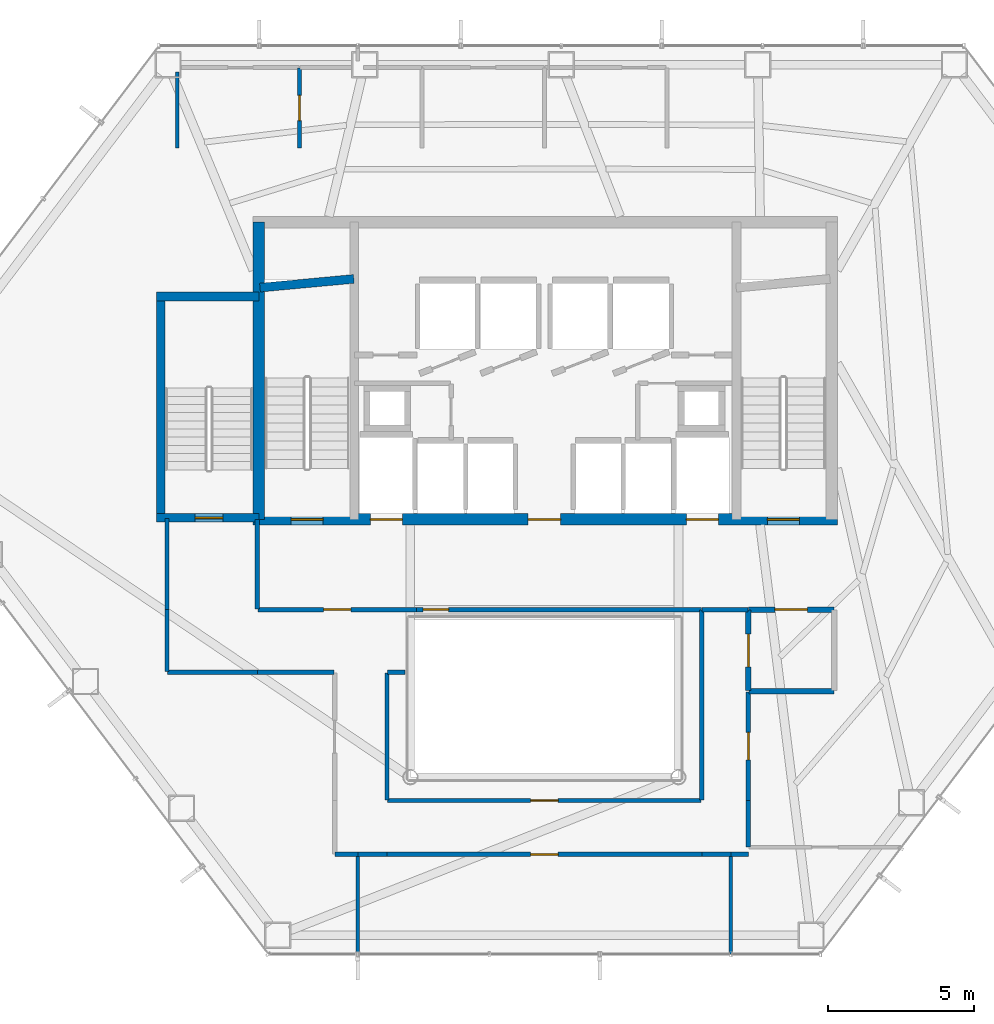
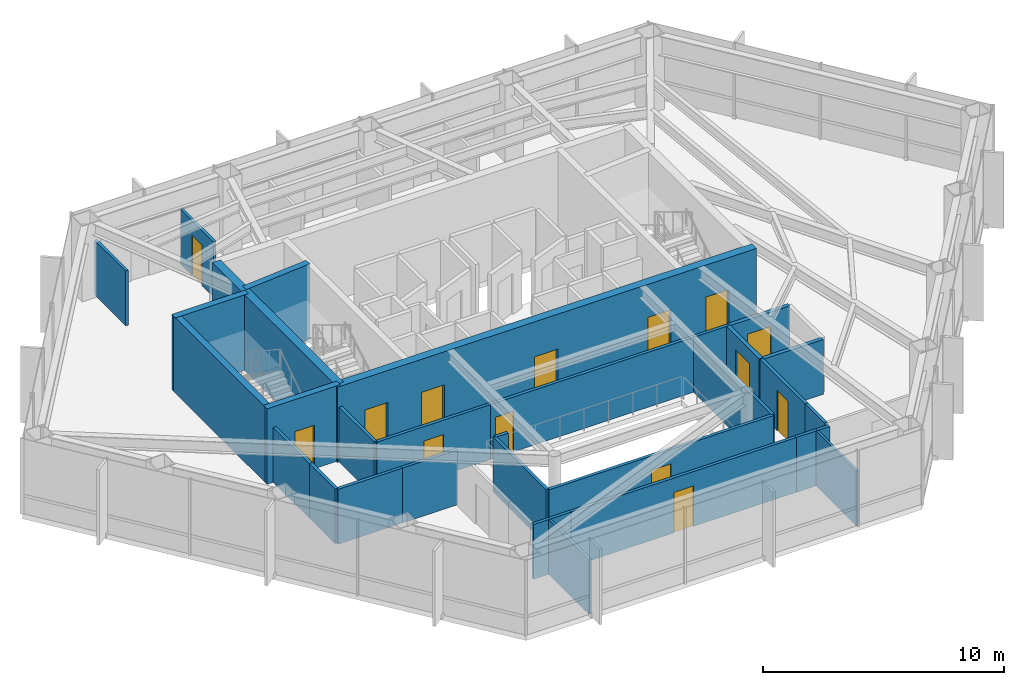
# One storey, part 21 of 24: 32 walls, 14 doors, 14 openings.
"""IFC4 building model written with IfcOpenShell, lengths in metres."""

from ifc_helpers import new_model, si_unit, direction, frame, frame_2d, origin, place, context, subcontext, project, spatial, rectangle, extrude, material, layer, layer_set, type_object, element, fill, save


model = new_model("IFC4")

# Units and contexts
model_context = context("Model", 3, precision=1e-05, world=origin(), true_north=direction((0.0, 1.0)))
body_context = subcontext(model_context, "Body", "Model", "MODEL_VIEW")
ifc_project = project(units=[si_unit("LENGTHUNIT", "METRE"), si_unit("AREAUNIT", "SQUARE_METRE"), si_unit("VOLUMEUNIT", "CUBIC_METRE"), si_unit("PLANEANGLEUNIT", "RADIAN"), si_unit("MASSUNIT", "GRAM", prefix="KILO")], contexts=[model_context])

# Site, building, storey
site_placement = place(None, origin())
site = spatial("IfcSite", under=ifc_project, at=site_placement, CompositionType="ELEMENT")
building_placement = place(site_placement, origin())
building = spatial("IfcBuilding", under=site, at=building_placement, Name="Zarrinselat Tower", CompositionType="ELEMENT")
storey_placement = place(building_placement, frame((0.0, 0.0, 96.89990234375)))
storey = spatial("IfcBuildingStorey", under=building, at=storey_placement, Name="L23", CompositionType="ELEMENT", Elevation=96.89990234375)

# Wall, opening, door
ifc_material_1 = material(Name="Concrete C40/50", Category="concrete")
ifc_layer_1 = layer(ifc_material_1, 0.18994140625)
ifc_layer_set_1 = layer_set([ifc_layer_1], Name="Concrete C40/50")
wall_type_1 = type_object("IfcWallType", Name="WAL-PART-EI120", PredefinedType="PARTITIONING", material=ifc_layer_set_1)
wall_1_placement = place(storey_placement, frame((45.405029296875, 30.14990234375, 0.0), z_axis=(0.0, 0.0, 1.0), x_axis=(1.0, 0.0, 0.0)))
wall_1 = element("IfcWall", 1, at=wall_1_placement, inside=storey, type_object=wall_type_1, Name="L23 Partition Wall 7", PredefinedType="PARTITIONING", context=body_context, shape_type="SweptSolid", body=[
    extrude(rectangle(XDim=2.925048828125, YDim=0.18994140625, at=frame_2d((1.46240234375, 0.0))), origin(), (0.0, 0.0, 1.0), 2.777099609375),
])
opening_1_placement = place(wall_1_placement, frame((0.902587890625, 0.0, 0.0)))
opening_1 = element("IfcOpeningElement", 2, at=opening_1_placement, cuts=wall_1, Name="Opening ID-02", PredefinedType="OPENING", context=body_context, shape_type="SweptSolid", body=[
    extrude(rectangle(XDim=1.1201171875, YDim=2.050048828125, at=frame_2d((0.56005859375, 1.02490234375))), frame((0.0, 0.10498046875, 0.0), z_axis=(0.0, -1.0, 0.0), x_axis=(1.0, 0.0, 0.0)), (0.0, 0.0, 1.0), 0.2099609375),
])
ifc_material_2 = material(Name="Steel S355J2", Category="steel")
door_type_1 = type_object("IfcDoorType", Name="DR-INT-FD60-W", OperationType="NOTDEFINED", PredefinedType="DOOR", material=ifc_material_2)
door_1_placement = place(opening_1_placement, origin())
door_1 = element("IfcDoor", 3, at=door_1_placement, inside=storey, type_object=door_type_1, Name="L23 Interior Door P7", OperationType="SINGLE_SWING_RIGHT", OverallHeight=2.050048828125, OverallWidth=1.1201171875, PredefinedType="DOOR", context=body_context, shape_type="SweptSolid", body=[
    extrude(rectangle(XDim=1.1201171875, YDim=2.050048828125, at=frame_2d((0.56005859375, 1.02490234375))), frame((0.0, 0.02490234375, 0.0), z_axis=(0.0, -1.0, 0.0), x_axis=(1.0, 0.0, 0.0)), (0.0, 0.0, 1.0), 0.050048828125),
])
fill(opening_1, door_1)

wall_2_placement = place(storey_placement, frame((45.39990234375, 27.3701171875, 0.0), z_axis=(0.0, 0.0, 1.0), x_axis=(0.0, 1.0, 0.0)))
wall_2 = element("IfcWall", 4, at=wall_2_placement, inside=storey, type_object=wall_type_1, Name="L23 Partition Wall 12", PredefinedType="PARTITIONING", context=body_context, shape_type="SweptSolid", body=[
    extrude(rectangle(XDim=2.759765625, YDim=0.18994140625, at=frame_2d((1.3798828125, 0.0))), origin(), (0.0, 0.0, 1.0), 2.777099609375),
])
opening_2_placement = place(wall_2_placement, frame((0.820068359375, 0.0, 0.0)))
opening_2 = element("IfcOpeningElement", 5, at=opening_2_placement, cuts=wall_2, Name="Opening ID-02", PredefinedType="OPENING", context=body_context, shape_type="SweptSolid", body=[
    extrude(rectangle(XDim=1.1201171875, YDim=2.050048828125, at=frame_2d((0.56005859375, 1.02490234375))), frame((0.0, 0.10498046875, 0.0), z_axis=(0.0, -1.0, 0.0), x_axis=(1.0, 0.0, 0.0)), (0.0, 0.0, 1.0), 0.2099609375),
])
door_2_placement = place(opening_2_placement, origin())
door_2 = element("IfcDoor", 6, at=door_2_placement, inside=storey, type_object=door_type_1, Name="L23 Interior Door P12", OperationType="SINGLE_SWING_LEFT", OverallHeight=2.050048828125, OverallWidth=1.1201171875, PredefinedType="DOOR", context=body_context, shape_type="SweptSolid", body=[
    extrude(rectangle(XDim=1.1201171875, YDim=2.050048828125, at=frame_2d((0.56005859375, 1.02490234375))), frame((0.0, 0.02490234375, 0.0), z_axis=(0.0, -1.0, 0.0), x_axis=(1.0, 0.0, 0.0)), (0.0, 0.0, 1.0), 0.050048828125),
])
fill(opening_2, door_2)

# Walls
wall_3_placement = place(storey_placement, frame((45.419921875, 27.35009765625, 0.0), z_axis=(0.0, 0.0, 1.0), x_axis=(1.0, 0.0, 0.0)))
element("IfcWall", 7, at=wall_3_placement, inside=storey, type_object=wall_type_1, Name="L23 Partition Wall 13", PredefinedType="PARTITIONING", context=body_context, shape_type="SweptSolid", body=[
    extrude(rectangle(XDim=2.91015625, YDim=0.18994140625, at=frame_2d((1.455078125, 0.0))), origin(), (0.0, 0.0, 1.0), 2.777099609375),
])
ifc_material_3 = material(Name="Fire-Rated Gypsum Board Partition", Category="gypsum")
ifc_layer_2 = layer(ifc_material_3, 0.14990234375)
ifc_layer_set_2 = layer_set([ifc_layer_2], Name="Fire-Rated Gypsum Board Partition")
wall_type_2 = type_object("IfcWallType", Name="WAL-PART-EI60", PredefinedType="PARTITIONING", material=ifc_layer_set_2)
wall_4_placement = place(storey_placement, frame((43.804931640625, 30.14990234375, 0.0), z_axis=(0.0, 0.0, 1.0), x_axis=(1.0, 0.0, 0.0)))
element("IfcWall", 8, at=wall_4_placement, inside=storey, type_object=wall_type_2, Name="L23 Partition Wall 8", PredefinedType="PARTITIONING", context=body_context, shape_type="SweptSolid", body=[
    extrude(rectangle(XDim=1.590087890625, YDim=0.14990234375, at=frame_2d((0.794921875, 0.0))), origin(), (0.0, 0.0, 1.0), 2.777099609375),
])

# Wall, opening, door
wall_5_placement = place(storey_placement, frame((28.570068359375, 30.14990234375, 0.0), z_axis=(0.0, 0.0, 1.0), x_axis=(1.0, 0.0, 0.0)))
wall_5 = element("IfcWall", 9, at=wall_5_placement, inside=storey, type_object=wall_type_2, Name="L23 Partition Wall 9", PredefinedType="PARTITIONING", context=body_context, shape_type="SweptSolid", body=[
    extrude(rectangle(XDim=5.44482421875, YDim=0.14990234375, at=frame_2d((2.722412109375, 0.0))), origin(), (0.0, 0.0, 1.0), 2.777099609375),
])
opening_3_placement = place(wall_5_placement, frame((2.25244140625, 0.0, 0.0)))
opening_3 = element("IfcOpeningElement", 10, at=opening_3_placement, cuts=wall_5, Name="Opening ID-04", PredefinedType="OPENING", context=body_context, shape_type="SweptSolid", body=[
    extrude(rectangle(XDim=0.93994140625, YDim=2.050048828125, at=frame_2d((0.469970703125, 1.02490234375))), frame((0.0, 0.0849609375, 0.0), z_axis=(0.0, -1.0, 0.0), x_axis=(1.0, 0.0, 0.0)), (0.0, 0.0, 1.0), 0.169921875),
])
ifc_material_4 = material(Name="Fire-Rated Gypsum Board Partition")
door_type_2 = type_object("IfcDoorType", Name="DR-INT-FD30-ENT", OperationType="NOTDEFINED", PredefinedType="DOOR", material=ifc_material_4)
door_3_placement = place(opening_3_placement, origin())
door_3 = element("IfcDoor", 11, at=door_3_placement, inside=storey, type_object=door_type_2, Name="L23 Interior Door P9", OperationType="SINGLE_SWING_LEFT", OverallHeight=2.050048828125, OverallWidth=0.93994140625, PredefinedType="DOOR", context=body_context, shape_type="SweptSolid", body=[
    extrude(rectangle(XDim=0.93994140625, YDim=2.050048828125, at=frame_2d((0.469970703125, 1.02490234375))), frame((0.0, 0.02490234375, 0.0), z_axis=(0.0, -1.0, 0.0), x_axis=(1.0, 0.0, 0.0)), (0.0, 0.0, 1.0), 0.050048828125),
])
fill(opening_3, door_3)

# Wall
wall_6_placement = place(storey_placement, frame((28.550048828125, 30.169921875, 0.0), z_axis=(0.0, 0.0, 1.0), x_axis=(0.0, 1.0, 0.0)))
element("IfcWall", 12, at=wall_6_placement, inside=storey, type_object=wall_type_2, Name="L23 Partition Wall 10", PredefinedType="PARTITIONING", context=body_context, shape_type="SweptSolid", body=[
    extrude(rectangle(XDim=3.065185546875, YDim=0.14990234375, at=frame_2d((1.53271484375, 0.0))), origin(), (0.0, 0.0, 1.0), 2.777099609375),
])

# Wall, opening, door
wall_7_placement = place(storey_placement, frame((33.985107421875, 30.14990234375, 0.0), z_axis=(0.0, 0.0, 1.0), x_axis=(1.0, 0.0, 0.0)))
wall_7 = element("IfcWall", 13, at=wall_7_placement, inside=storey, type_object=wall_type_2, Name="L23 Partition Wall 11", PredefinedType="PARTITIONING", context=body_context, shape_type="SweptSolid", body=[
    extrude(rectangle(XDim=9.809814453125, YDim=0.14990234375, at=frame_2d((4.90478515625, 0.0))), origin(), (0.0, 0.0, 1.0), 2.777099609375),
])
opening_4_placement = place(wall_7_placement, frame((0.25, 0.0, 0.0)))
opening_4 = element("IfcOpeningElement", 14, at=opening_4_placement, cuts=wall_7, Name="Opening ID-03", PredefinedType="OPENING", context=body_context, shape_type="SweptSolid", body=[
    extrude(rectangle(XDim=0.8798828125, YDim=2.050048828125, at=frame_2d((0.43994140625, 1.02490234375))), frame((0.0, 0.0849609375, 0.0), z_axis=(0.0, -1.0, 0.0), x_axis=(1.0, 0.0, 0.0)), (0.0, 0.0, 1.0), 0.169921875),
])
ifc_material_5 = material(Name="Steel S355J2", Category="steel")
door_type_3 = type_object("IfcDoorType", Name="DR-INT-FD60-S", OperationType="NOTDEFINED", PredefinedType="DOOR", material=ifc_material_5)
door_4_placement = place(opening_4_placement, origin())
door_4 = element("IfcDoor", 15, at=door_4_placement, inside=storey, type_object=door_type_3, Name="L23 Interior Door P11", OperationType="SINGLE_SWING_RIGHT", OverallHeight=2.050048828125, OverallWidth=0.8798828125, PredefinedType="DOOR", context=body_context, shape_type="SweptSolid", body=[
    extrude(rectangle(XDim=0.8798828125, YDim=2.050048828125, at=frame_2d((0.43994140625, 1.02490234375))), frame((0.0, 0.02490234375, 0.0), z_axis=(0.0, -1.0, 0.0), x_axis=(1.0, 0.0, 0.0)), (0.0, 0.0, 1.0), 0.050048828125),
])
fill(opening_4, door_4)

# Wall
wall_8_placement = place(storey_placement, frame((43.800048828125, 21.75, 0.0), z_axis=(0.0, 0.0, 1.0), x_axis=(1.0, 0.0, 0.0)))
element("IfcWall", 16, at=wall_8_placement, inside=storey, type_object=wall_type_2, Name="L23 Partition Wall 15", PredefinedType="PARTITIONING", context=body_context, shape_type="SweptSolid", body=[
    extrude(rectangle(XDim=0.994873046875, YDim=0.14990234375, at=frame_2d((0.49755859375, 0.0))), origin(), (0.0, 0.0, 1.0), 2.777099609375),
])

# Wall, opening, door
wall_9_placement = place(storey_placement, frame((33.0, 21.75, 0.0), z_axis=(0.0, 0.0, 1.0), x_axis=(1.0, 0.0, 0.0)))
wall_9 = element("IfcWall", 17, at=wall_9_placement, inside=storey, type_object=wall_type_2, Name="L23 Partition Wall 16", PredefinedType="PARTITIONING", context=body_context, shape_type="SweptSolid", body=[
    extrude(rectangle(XDim=10.800048828125, YDim=0.14990234375, at=frame_2d((5.39990234375, 0.0))), origin(), (0.0, 0.0, 1.0), 2.777099609375),
])
opening_5_placement = place(wall_9_placement, frame((4.929931640625, 0.0, 0.0)))
opening_5 = element("IfcOpeningElement", 18, at=opening_5_placement, cuts=wall_9, Name="Opening ID-04", PredefinedType="OPENING", context=body_context, shape_type="SweptSolid", body=[
    extrude(rectangle(XDim=0.93994140625, YDim=2.050048828125, at=frame_2d((0.469970703125, 1.02490234375))), frame((0.0, 0.0849609375, 0.0), z_axis=(0.0, -1.0, 0.0), x_axis=(1.0, 0.0, 0.0)), (0.0, 0.0, 1.0), 0.169921875),
])
door_5_placement = place(opening_5_placement, origin())
door_5 = element("IfcDoor", 19, at=door_5_placement, inside=storey, type_object=door_type_2, Name="L23 Interior Door P16", OperationType="SINGLE_SWING_RIGHT", OverallHeight=2.050048828125, OverallWidth=0.93994140625, PredefinedType="DOOR", context=body_context, shape_type="SweptSolid", body=[
    extrude(rectangle(XDim=0.93994140625, YDim=2.050048828125, at=frame_2d((0.469970703125, 1.02490234375))), frame((0.0, 0.02490234375, 0.0), z_axis=(0.0, -1.0, 0.0), x_axis=(1.0, 0.0, 0.0)), (0.0, 0.0, 1.0), 0.050048828125),
])
fill(opening_5, door_5)

# Walls
wall_10_placement = place(storey_placement, frame((32.0048828125, 21.75, 0.0), z_axis=(0.0, 0.0, 1.0), x_axis=(1.0, 0.0, 0.0)))
element("IfcWall", 20, at=wall_10_placement, inside=storey, type_object=wall_type_2, Name="L23 Partition Wall 17", PredefinedType="PARTITIONING", context=body_context, shape_type="SweptSolid", body=[
    extrude(rectangle(XDim=0.9951171875, YDim=0.14990234375, at=frame_2d((0.49755859375, 0.0))), origin(), (0.0, 0.0, 1.0), 2.777099609375),
])
wall_11_placement = place(storey_placement, frame((44.804931640625, 21.75, 0.0), z_axis=(0.0, 0.0, 1.0), x_axis=(1.0, 0.0, 0.0)))
element("IfcWall", 21, at=wall_11_placement, inside=storey, type_object=wall_type_2, Name="L23 Partition Wall 18", PredefinedType="PARTITIONING", context=body_context, shape_type="SweptSolid", body=[
    extrude(rectangle(XDim=0.594970703125, YDim=0.14990234375, at=frame_2d((0.29736328125, 0.0))), origin(), (0.0, 0.0, 1.0), 2.777099609375),
])
wall_12_placement = place(storey_placement, frame((31.219970703125, 21.75, 0.0), z_axis=(0.0, 0.0, 1.0), x_axis=(1.0, 0.0, 0.0)))
element("IfcWall", 22, at=wall_12_placement, inside=storey, type_object=wall_type_2, Name="L23 Partition Wall 19", PredefinedType="PARTITIONING", context=body_context, shape_type="SweptSolid", body=[
    extrude(rectangle(XDim=0.775146484375, YDim=0.14990234375, at=frame_2d((0.3876953125, 0.0))), origin(), (0.0, 0.0, 1.0), 2.777099609375),
])
wall_13_placement = place(storey_placement, frame((28.550048828125, 28.0, 0.0), z_axis=(0.0, 0.0, 1.0), x_axis=(1.0, 0.0, 0.0)))
element("IfcWall", 23, at=wall_13_placement, inside=storey, type_object=wall_type_2, Name="L23 Partition Wall 22", PredefinedType="PARTITIONING", context=body_context, shape_type="SweptSolid", body=[
    extrude(rectangle(XDim=2.6298828125, YDim=0.14990234375, at=frame_2d((1.31494140625, 0.0))), origin(), (0.0, 0.0, 1.0), 2.777099609375),
])
wall_14_placement = place(storey_placement, frame((25.469970703125, 28.0, 0.0), z_axis=(0.0, 0.0, 1.0), x_axis=(1.0, 0.0, 0.0)))
element("IfcWall", 24, at=wall_14_placement, inside=storey, type_object=wall_type_2, Name="L23 Partition Wall 23", PredefinedType="PARTITIONING", context=body_context, shape_type="SweptSolid", body=[
    extrude(rectangle(XDim=3.080078125, YDim=0.14990234375, at=frame_2d((1.5400390625, 0.0))), origin(), (0.0, 0.0, 1.0), 2.777099609375),
])
wall_15_placement = place(storey_placement, frame((25.449951171875, 28.02001953125, 0.0), z_axis=(0.0, 0.0, 1.0), x_axis=(0.0, 1.0, 0.0)))
element("IfcWall", 25, at=wall_15_placement, inside=storey, type_object=wall_type_2, Name="L23 Partition Wall 24", PredefinedType="PARTITIONING", context=body_context, shape_type="SweptSolid", body=[
    extrude(rectangle(XDim=2.1298828125, YDim=0.14990234375, at=frame_2d((1.06494140625, 0.0))), origin(), (0.0, 0.0, 1.0), 2.777099609375),
])
wall_16_placement = place(storey_placement, frame((25.449951171875, 30.14990234375, 0.0), z_axis=(0.0, 0.0, 1.0), x_axis=(0.0, 1.0, 0.0)))
element("IfcWall", 26, at=wall_16_placement, inside=storey, type_object=wall_type_2, Name="L23 Partition Wall 25", PredefinedType="PARTITIONING", context=body_context, shape_type="SweptSolid", body=[
    extrude(rectangle(XDim=3.135009765625, YDim=0.14990234375, at=frame_2d((1.5673828125, 0.0))), origin(), (0.0, 0.0, 1.0), 2.777099609375),
])

# Wall, opening, door
wall_17_placement = place(storey_placement, frame((45.39990234375, 23.60009765625, 0.0), z_axis=(0.0, 0.0, 1.0), x_axis=(0.0, 1.0, 0.0)))
wall_17 = element("IfcWall", 27, at=wall_17_placement, inside=storey, type_object=wall_type_2, Name="L23 Partition Wall 26", PredefinedType="PARTITIONING", context=body_context, shape_type="SweptSolid", body=[
    extrude(rectangle(XDim=3.72998046875, YDim=0.14990234375, at=frame_2d((1.864990234375, 0.0))), origin(), (0.0, 0.0, 1.0), 2.777099609375),
])
opening_6_placement = place(wall_17_placement, frame((1.39501953125, 0.0, 0.0)))
opening_6 = element("IfcOpeningElement", 28, at=opening_6_placement, cuts=wall_17, Name="Opening ID-04", PredefinedType="OPENING", context=body_context, shape_type="SweptSolid", body=[
    extrude(rectangle(XDim=0.93994140625, YDim=2.050048828125, at=frame_2d((0.469970703125, 1.02490234375))), frame((0.0, 0.0849609375, 0.0), z_axis=(0.0, -1.0, 0.0), x_axis=(1.0, 0.0, 0.0)), (0.0, 0.0, 1.0), 0.169921875),
])
door_6_placement = place(opening_6_placement, origin())
door_6 = element("IfcDoor", 29, at=door_6_placement, inside=storey, type_object=door_type_2, Name="L23 Interior Door P26", OperationType="SINGLE_SWING_RIGHT", OverallHeight=2.050048828125, OverallWidth=0.93994140625, PredefinedType="DOOR", context=body_context, shape_type="SweptSolid", body=[
    extrude(rectangle(XDim=0.93994140625, YDim=2.050048828125, at=frame_2d((0.469970703125, 1.02490234375))), frame((0.0, 0.02490234375, 0.0), z_axis=(0.0, -1.0, 0.0), x_axis=(1.0, 0.0, 0.0)), (0.0, 0.0, 1.0), 0.050048828125),
])
fill(opening_6, door_6)

# Walls
wall_18_placement = place(storey_placement, frame((45.39990234375, 22.0048828125, 0.0), z_axis=(0.0, 0.0, 1.0), x_axis=(0.0, 1.0, 0.0)))
element("IfcWall", 30, at=wall_18_placement, inside=storey, type_object=wall_type_2, Name="L23 Partition Wall 27", PredefinedType="PARTITIONING", context=body_context, shape_type="SweptSolid", body=[
    extrude(rectangle(XDim=1.59521484375, YDim=0.14990234375, at=frame_2d((0.797607421875, 0.0))), origin(), (0.0, 0.0, 1.0), 2.777099609375),
])
wall_19_placement = place(storey_placement, frame((33.02001953125, 28.0, 0.0), z_axis=(0.0, 0.0, 1.0), x_axis=(1.0, 0.0, 0.0)))
element("IfcWall", 31, at=wall_19_placement, inside=storey, type_object=wall_type_2, Name="L23 Partition Wall 28", PredefinedType="PARTITIONING", context=body_context, shape_type="SweptSolid", body=[
    extrude(rectangle(XDim=0.60009765625, YDim=0.14990234375, at=frame_2d((0.300048828125, 0.0))), origin(), (0.0, 0.0, 1.0), 2.777099609375),
])
wall_20_placement = place(storey_placement, frame((33.0, 23.6201171875, 0.0), z_axis=(0.0, 0.0, 1.0), x_axis=(0.0, 1.0, 0.0)))
element("IfcWall", 32, at=wall_20_placement, inside=storey, type_object=wall_type_2, Name="L23 Partition Wall 29", PredefinedType="PARTITIONING", context=body_context, shape_type="SweptSolid", body=[
    extrude(rectangle(XDim=4.35986328125, YDim=0.14990234375, at=frame_2d((2.179931640625, 0.0))), origin(), (0.0, 0.0, 1.0), 2.777099609375),
])

# Wall, opening, door
wall_21_placement = place(storey_placement, frame((33.02001953125, 23.60009765625, 0.0), z_axis=(0.0, 0.0, 1.0), x_axis=(1.0, 0.0, 0.0)))
wall_21 = element("IfcWall", 33, at=wall_21_placement, inside=storey, type_object=wall_type_2, Name="L23 Partition Wall 30", PredefinedType="PARTITIONING", context=body_context, shape_type="SweptSolid", body=[
    extrude(rectangle(XDim=10.760009765625, YDim=0.14990234375, at=frame_2d((5.3798828125, 0.0))), origin(), (0.0, 0.0, 1.0), 2.777099609375),
])
opening_7_placement = place(wall_21_placement, frame((4.909912109375, 0.0, 0.0)))
opening_7 = element("IfcOpeningElement", 34, at=opening_7_placement, cuts=wall_21, Name="Opening ID-04", PredefinedType="OPENING", context=body_context, shape_type="SweptSolid", body=[
    extrude(rectangle(XDim=0.93994140625, YDim=2.050048828125, at=frame_2d((0.469970703125, 1.02490234375))), frame((0.0, 0.0849609375, 0.0), z_axis=(0.0, -1.0, 0.0), x_axis=(1.0, 0.0, 0.0)), (0.0, 0.0, 1.0), 0.169921875),
])
door_7_placement = place(opening_7_placement, origin())
door_7 = element("IfcDoor", 35, at=door_7_placement, inside=storey, type_object=door_type_2, Name="L23 Interior Door P30", OperationType="SINGLE_SWING_LEFT", OverallHeight=2.050048828125, OverallWidth=0.93994140625, PredefinedType="DOOR", context=body_context, shape_type="SweptSolid", body=[
    extrude(rectangle(XDim=0.93994140625, YDim=2.050048828125, at=frame_2d((0.469970703125, 1.02490234375))), frame((0.0, 0.02490234375, 0.0), z_axis=(0.0, -1.0, 0.0), x_axis=(1.0, 0.0, 0.0)), (0.0, 0.0, 1.0), 0.050048828125),
])
fill(opening_7, door_7)

# Walls
wall_22_placement = place(storey_placement, frame((43.800048828125, 23.6201171875, 0.0), z_axis=(0.0, 0.0, 1.0), x_axis=(0.0, 1.0, 0.0)))
element("IfcWall", 36, at=wall_22_placement, inside=storey, type_object=wall_type_2, Name="L23 Partition Wall 31", PredefinedType="PARTITIONING", context=body_context, shape_type="SweptSolid", body=[
    extrude(rectangle(XDim=6.509765625, YDim=0.14990234375, at=frame_2d((3.2548828125, 0.0))), origin(), (0.0, 0.0, 1.0), 2.777099609375),
])
ifc_material_6 = material(Name="Fire-Rated Gypsum Board Partition", Category="gypsum")
ifc_layer_3 = layer(ifc_material_6, 0.1201171875)
ifc_layer_set_3 = layer_set([ifc_layer_3], Name="Fire-Rated Gypsum Board Partition")
wall_type_3 = type_object("IfcWallType", Name="WAL-PART-STD", PredefinedType="PARTITIONING", material=ifc_layer_set_3)
for number, where, z_axis, x_axis, name in (
    (37, (44.800048828125, 18.340576171875, 0.0), (0.0, 0.0, 1.0), (0.0, 1.0, 0.0), "L23 Partition Wall 42"),
    (38, (32.0, 18.340576171875, 0.0), (0.0, 0.0, 1.0), (0.0, 1.0, 0.0), "L23 Partition Wall 43"),
):
    element("IfcWall", number, at=place(storey_placement, frame(where, z_axis=z_axis, x_axis=x_axis)), inside=storey, type_object=wall_type_3, Name=name, PredefinedType="PARTITIONING", context=body_context, shape_type="SweptSolid", body=[
        extrude(rectangle(XDim=3.389404296875, YDim=0.1201171875, at=frame_2d((1.69482421875, 0.0))), origin(), (0.0, 0.0, 1.0), 2.777099609375),
    ])

# Wall, opening, door
ifc_material_7 = material(Name="Fire-Rated Gypsum Board Partition", Category="gypsum")
ifc_layer_4 = layer(ifc_material_7, 0.135009765625)
ifc_layer_set_4 = layer_set([ifc_layer_4], Name="Fire-Rated Gypsum Board Partition")
wall_type_4 = type_object("IfcWallType", Name="WAL-PART-WET", PredefinedType="PARTITIONING", material=ifc_layer_set_4)
wall_23_placement = place(storey_placement, frame((30.0, 46.0, 0.0), z_axis=(0.0, 0.0, 1.0), x_axis=(0.0, 1.0, 0.0)))
wall_23 = element("IfcWall", 39, at=wall_23_placement, inside=storey, type_object=wall_type_4, Name="L23 Partition Wall 32", PredefinedType="PARTITIONING", context=body_context, shape_type="SweptSolid", body=[
    extrude(rectangle(XDim=2.72998046875, YDim=0.135009765625, at=frame_2d((1.364990234375, 0.0))), origin(), (0.0, 0.0, 1.0), 2.777099609375),
])
opening_8_placement = place(wall_23_placement, frame((0.93505859375, 0.0, 0.0)))
opening_8 = element("IfcOpeningElement", 40, at=opening_8_placement, cuts=wall_23, Name="Opening ID-06", PredefinedType="OPENING", context=body_context, shape_type="SweptSolid", body=[
    extrude(rectangle(XDim=0.860107421875, YDim=2.050048828125, at=frame_2d((0.43017578125, 1.02490234375))), frame((0.0, 0.077392578125, 0.0), z_axis=(0.0, -1.0, 0.0), x_axis=(1.0, 0.0, 0.0)), (0.0, 0.0, 1.0), 0.155029296875),
])
ifc_material_8 = material(Name="Extruded Aluminium Alloy EN AW-6063 T6", Category="aluminium")
door_type_4 = type_object("IfcDoorType", Name="DR-INT-WET-900", OperationType="NOTDEFINED", PredefinedType="DOOR", material=ifc_material_8)
door_8_placement = place(opening_8_placement, origin())
door_8 = element("IfcDoor", 41, at=door_8_placement, inside=storey, type_object=door_type_4, Name="L23 Interior Door P32", OperationType="SINGLE_SWING_RIGHT", OverallHeight=2.050048828125, OverallWidth=0.860107421875, PredefinedType="DOOR", context=body_context, shape_type="SweptSolid", body=[
    extrude(rectangle(XDim=0.860107421875, YDim=2.050048828125, at=frame_2d((0.43017578125, 1.02490234375))), frame((0.0, 0.02490234375, 0.0), z_axis=(0.0, -1.0, 0.0), x_axis=(1.0, 0.0, 0.0)), (0.0, 0.0, 1.0), 0.050048828125),
])
fill(opening_8, door_8)

# Walls
wall_24_placement = place(storey_placement, frame((25.800048828125, 46.0, 0.0), z_axis=(0.0, 0.0, 1.0), x_axis=(0.0, 1.0, 0.0)))
element("IfcWall", 42, at=wall_24_placement, inside=storey, type_object=wall_type_4, Name="L23 Partition Wall 34", PredefinedType="PARTITIONING", context=body_context, shape_type="SweptSolid", body=[
    extrude(rectangle(XDim=2.59912109375, YDim=0.135009765625, at=frame_2d((1.299560546875, 0.0))), origin(), (0.0, 0.0, 1.0), 2.777099609375),
])
ifc_material_9 = material(Name="Concrete C40/50", Category="concrete")
ifc_layer_5 = layer(ifc_material_9, 0.300048828125)
ifc_layer_set_5 = layer_set([ifc_layer_5], Name="Concrete C40/50")
wall_type_5 = type_object("IfcWallType", Name="WAL-SHEAR-300", PredefinedType="SHEAR", material=ifc_layer_set_5)
wall_25_placement = place(storey_placement, frame((28.639892578125, 41.199951171875, 0.0), z_axis=(0.0, 0.0, 1.0), x_axis=(0.995687118776, 0.092774789157, 0.0)))
element("IfcWall", 43, at=wall_25_placement, inside=storey, type_object=wall_type_5, Name="L23 Stair 1 North Shaft Wall", PredefinedType="SHEAR", context=body_context, shape_type="SweptSolid", body=[
    extrude(rectangle(XDim=3.234130859375, YDim=0.300048828125, at=frame_2d((1.6171875, 0.0))), origin(), (0.0, 0.0, 1.0), 3.820068359375),
])
wall_26_placement = place(storey_placement, frame((25.080078125, 40.89990234375, 0.0), z_axis=(0.0, 0.0, 1.0), x_axis=(1.0, 0.0, 0.0)))
element("IfcWall", 44, at=wall_26_placement, inside=storey, type_object=wall_type_5, Name="L23 Stair 3 North Shear Wall", PredefinedType="SHEAR", context=body_context, shape_type="SweptSolid", body=[
    extrude(rectangle(XDim=3.52001953125, YDim=0.300048828125, at=frame_2d((1.760009765625, 0.0))), origin(), (0.0, 0.0, 1.0), 3.820068359375),
])

# Wall, opening, door
wall_27_placement = place(storey_placement, frame((25.080078125, 33.300048828125, 0.0), z_axis=(0.0, 0.0, 1.0), x_axis=(1.0, 0.0, 0.0)))
wall_27 = element("IfcWall", 45, at=wall_27_placement, inside=storey, type_object=wall_type_5, Name="L23 Stair 3 South Shear Wall", PredefinedType="SHEAR", context=body_context, shape_type="SweptSolid", body=[
    extrude(rectangle(XDim=3.52001953125, YDim=0.300048828125, at=frame_2d((1.760009765625, 0.0))), origin(), (0.0, 0.0, 1.0), 3.820068359375),
])
opening_9_placement = place(wall_27_placement, frame((1.3349609375, 0.0, 0.0)))
opening_9 = element("IfcOpeningElement", 46, at=opening_9_placement, cuts=wall_27, Name="Opening SD-02", PredefinedType="OPENING", context=body_context, shape_type="SweptSolid", body=[
    extrude(rectangle(XDim=0.949951171875, YDim=2.199951171875, at=frame_2d((0.47509765625, 1.10009765625))), frame((0.0, 0.159912109375, 0.0), z_axis=(0.0, -1.0, 0.0), x_axis=(1.0, 0.0, 0.0)), (0.0, 0.0, 1.0), 0.320068359375),
])
ifc_material_10 = material(Name="Steel S355J2", Category="steel")
door_type_5 = type_object("IfcDoorType", Name="DR-STAIR-1050", OperationType="NOTDEFINED", PredefinedType="DOOR", material=ifc_material_10)
door_9_placement = place(opening_9_placement, origin())
door_9 = element("IfcDoor", 47, at=door_9_placement, inside=storey, type_object=door_type_5, Name="L23 Exit Stair 3 Fire Door", OperationType="SINGLE_SWING_LEFT", OverallHeight=2.199951171875, OverallWidth=0.949951171875, PredefinedType="DOOR", context=body_context, shape_type="SweptSolid", body=[
    extrude(rectangle(XDim=0.949951171875, YDim=2.199951171875, at=frame_2d((0.47509765625, 1.10009765625))), frame((0.0, 0.02490234375, 0.0), z_axis=(0.0, -1.0, 0.0), x_axis=(1.0, 0.0, 0.0)), (0.0, 0.0, 1.0), 0.050048828125),
])
fill(opening_9, door_9)

# Wall
wall_28_placement = place(storey_placement, frame((25.22998046875, 33.300048828125, 0.0), z_axis=(0.0, 0.0, 1.0), x_axis=(0.0, 1.0, 0.0)))
element("IfcWall", 48, at=wall_28_placement, inside=storey, type_object=wall_type_5, Name="L23 Stair 3 West Shear Wall", PredefinedType="SHEAR", context=body_context, shape_type="SweptSolid", body=[
    extrude(rectangle(XDim=7.599853515625, YDim=0.300048828125, at=frame_2d((3.7998046875, 0.0))), origin(), (0.0, 0.0, 1.0), 3.820068359375),
])

# Wall, openings, doors
ifc_material_11 = material(Name="Concrete C60/75", Category="concrete")
ifc_layer_6 = layer(ifc_material_11, 0.39990234375)
ifc_layer_set_6 = layer_set([ifc_layer_6], Name="Concrete C60/75")
wall_type_6 = type_object("IfcWallType", Name="WAL-SHEAR-400", PredefinedType="SHEAR", material=ifc_layer_set_6)
wall_29_placement = place(storey_placement, frame((28.39990234375, 33.25, 0.0), z_axis=(0.0, 0.0, 1.0), x_axis=(1.0, 0.0, 0.0)))
wall_29 = element("IfcWall", 49, at=wall_29_placement, inside=storey, type_object=wall_type_6, Name="L23 South Core Shear Wall", PredefinedType="SHEAR", context=body_context, shape_type="SweptSolid", body=[
    extrude(rectangle(XDim=20.06005859375, YDim=0.39990234375, at=frame_2d((10.030029296875, 0.0))), origin(), (0.0, 0.0, 1.0), 3.820068359375),
])
opening_10_placement = place(wall_29_placement, frame((4.030029296875, 0.0, 0.0)))
opening_10 = element("IfcOpeningElement", 50, at=opening_10_placement, cuts=wall_29, Name="Opening LD-FFL1", PredefinedType="OPENING", context=body_context, shape_type="SweptSolid", body=[
    extrude(rectangle(XDim=1.10009765625, YDim=2.14990234375, at=frame_2d((0.550048828125, 1.074951171875))), frame((0.0, 0.2099609375, 0.0), z_axis=(0.0, -1.0, 0.0), x_axis=(1.0, 0.0, 0.0)), (0.0, 0.0, 1.0), 0.419921875),
])
opening_11_placement = place(wall_29_placement, frame((14.8701171875, 0.0, 0.0)))
opening_11 = element("IfcOpeningElement", 51, at=opening_11_placement, cuts=wall_29, Name="Opening LD-FFL2", PredefinedType="OPENING", context=body_context, shape_type="SweptSolid", body=[
    extrude(rectangle(XDim=1.10009765625, YDim=2.14990234375, at=frame_2d((0.550048828125, 1.074951171875))), frame((0.0, 0.2099609375, 0.0), z_axis=(0.0, -1.0, 0.0), x_axis=(1.0, 0.0, 0.0)), (0.0, 0.0, 1.0), 0.419921875),
])
opening_12_placement = place(wall_29_placement, frame((1.31005859375, 0.0, 0.0)))
opening_12 = element("IfcOpeningElement", 52, at=opening_12_placement, cuts=wall_29, Name="Opening SD-01", PredefinedType="OPENING", context=body_context, shape_type="SweptSolid", body=[
    extrude(rectangle(XDim=1.10009765625, YDim=2.199951171875, at=frame_2d((0.550048828125, 1.10009765625))), frame((0.0, 0.2099609375, 0.0), z_axis=(0.0, -1.0, 0.0), x_axis=(1.0, 0.0, 0.0)), (0.0, 0.0, 1.0), 0.419921875),
])
opening_13_placement = place(wall_29_placement, frame((9.43994140625, 0.0, 0.0)))
opening_13 = element("IfcOpeningElement", 53, at=opening_13_placement, cuts=wall_29, Name="Opening ID-02", PredefinedType="OPENING", context=body_context, shape_type="SweptSolid", body=[
    extrude(rectangle(XDim=1.1201171875, YDim=2.050048828125, at=frame_2d((0.56005859375, 1.02490234375))), frame((0.0, 0.2099609375, 0.0), z_axis=(0.0, -1.0, 0.0), x_axis=(1.0, 0.0, 0.0)), (0.0, 0.0, 1.0), 0.419921875),
])
opening_14_placement = place(wall_29_placement, frame((17.64990234375, 0.0, 0.0)))
opening_14 = element("IfcOpeningElement", 54, at=opening_14_placement, cuts=wall_29, Name="Opening SD-01", PredefinedType="OPENING", context=body_context, shape_type="SweptSolid", body=[
    extrude(rectangle(XDim=1.10009765625, YDim=2.199951171875, at=frame_2d((0.550048828125, 1.10009765625))), frame((0.0, 0.2099609375, 0.0), z_axis=(0.0, -1.0, 0.0), x_axis=(1.0, 0.0, 0.0)), (0.0, 0.0, 1.0), 0.419921875),
])
door_10_placement = place(opening_13_placement, origin())
door_10 = element("IfcDoor", 55, at=door_10_placement, inside=storey, type_object=door_type_1, Name="L23 Core Service Vestibule Fire Door", OperationType="SINGLE_SWING_LEFT", OverallHeight=2.050048828125, OverallWidth=1.1201171875, PredefinedType="DOOR", context=body_context, shape_type="SweptSolid", body=[
    extrude(rectangle(XDim=1.1201171875, YDim=2.050048828125, at=frame_2d((0.56005859375, 1.02490234375))), frame((0.0, 0.02490234375, 0.0), z_axis=(0.0, -1.0, 0.0), x_axis=(1.0, 0.0, 0.0)), (0.0, 0.0, 1.0), 0.050048828125),
])
fill(opening_13, door_10)
ifc_material_12 = material(Name="Steel S355J2", Category="steel")
door_type_6 = type_object("IfcDoorType", Name="DR-LIFT-FF-1100", OperationType="NOTDEFINED", PredefinedType="DOOR", material=ifc_material_12)
door_11_placement = place(opening_10_placement, origin())
door_11 = element("IfcDoor", 56, at=door_11_placement, inside=storey, type_object=door_type_6, Name="L23 Lift FFL1 Sliding Landing Door", OperationType="SLIDING_TO_LEFT", OverallHeight=2.14990234375, OverallWidth=1.10009765625, PredefinedType="DOOR", context=body_context, shape_type="SweptSolid", body=[
    extrude(rectangle(XDim=1.10009765625, YDim=2.14990234375, at=frame_2d((0.550048828125, 1.074951171875))), frame((0.0, 0.02490234375, 0.0), z_axis=(0.0, -1.0, 0.0), x_axis=(1.0, 0.0, 0.0)), (0.0, 0.0, 1.0), 0.050048828125),
])
fill(opening_10, door_11)
door_12_placement = place(opening_11_placement, origin())
door_12 = element("IfcDoor", 57, at=door_12_placement, inside=storey, type_object=door_type_6, Name="L23 Lift FFL2 Sliding Landing Door", OperationType="SLIDING_TO_RIGHT", OverallHeight=2.14990234375, OverallWidth=1.10009765625, PredefinedType="DOOR", context=body_context, shape_type="SweptSolid", body=[
    extrude(rectangle(XDim=1.10009765625, YDim=2.14990234375, at=frame_2d((0.550048828125, 1.074951171875))), frame((0.0, 0.02490234375, 0.0), z_axis=(0.0, -1.0, 0.0), x_axis=(1.0, 0.0, 0.0)), (0.0, 0.0, 1.0), 0.050048828125),
])
fill(opening_11, door_12)
ifc_material_13 = material(Name="Steel S355J2", Category="steel")
door_type_7 = type_object("IfcDoorType", Name="DR-STAIR-1100", OperationType="NOTDEFINED", PredefinedType="DOOR", material=ifc_material_13)
door_13_placement = place(opening_12_placement, origin())
door_13 = element("IfcDoor", 58, at=door_13_placement, inside=storey, type_object=door_type_7, Name="L23 Exit Stair 1 Fire Door", OperationType="SINGLE_SWING_LEFT", OverallHeight=2.199951171875, OverallWidth=1.10009765625, PredefinedType="DOOR", context=body_context, shape_type="SweptSolid", body=[
    extrude(rectangle(XDim=1.10009765625, YDim=2.199951171875, at=frame_2d((0.550048828125, 1.10009765625))), frame((0.0, 0.02490234375, 0.0), z_axis=(0.0, -1.0, 0.0), x_axis=(1.0, 0.0, 0.0)), (0.0, 0.0, 1.0), 0.050048828125),
])
fill(opening_12, door_13)
door_14_placement = place(opening_14_placement, origin())
door_14 = element("IfcDoor", 59, at=door_14_placement, inside=storey, type_object=door_type_7, Name="L23 Exit Stair 2 Fire Door", OperationType="SINGLE_SWING_RIGHT", OverallHeight=2.199951171875, OverallWidth=1.10009765625, PredefinedType="DOOR", context=body_context, shape_type="SweptSolid", body=[
    extrude(rectangle(XDim=1.10009765625, YDim=2.199951171875, at=frame_2d((0.550048828125, 1.10009765625))), frame((0.0, 0.02490234375, 0.0), z_axis=(0.0, -1.0, 0.0), x_axis=(1.0, 0.0, 0.0)), (0.0, 0.0, 1.0), 0.050048828125),
])
fill(opening_14, door_14)

# Wall
wall_30_placement = place(storey_placement, frame((28.60009765625, 33.25, 0.0), z_axis=(0.0, 0.0, 1.0), x_axis=(0.0, 1.0, 0.0)))
element("IfcWall", 60, at=wall_30_placement, inside=storey, type_object=wall_type_6, Name="L23 Core Shear Wall W", PredefinedType="SHEAR", context=body_context, shape_type="SweptSolid", body=[
    extrude(rectangle(XDim=10.199951171875, YDim=0.39990234375, at=frame_2d((5.10009765625, 0.0))), origin(), (0.0, 0.0, 1.0), 3.820068359375),
])

save(model, "model.ifc")
